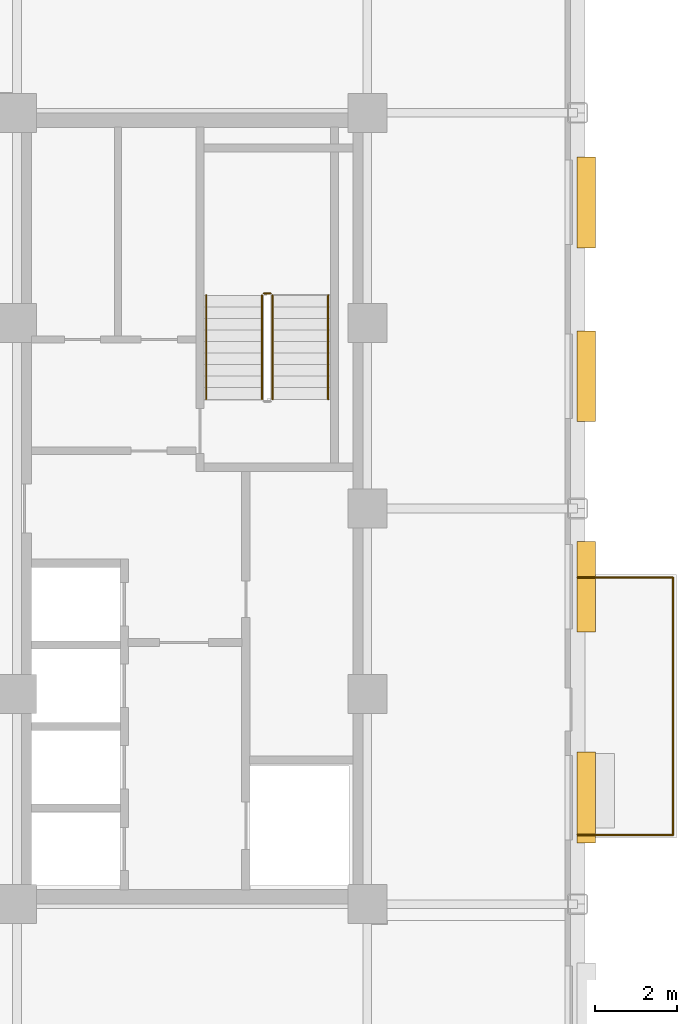
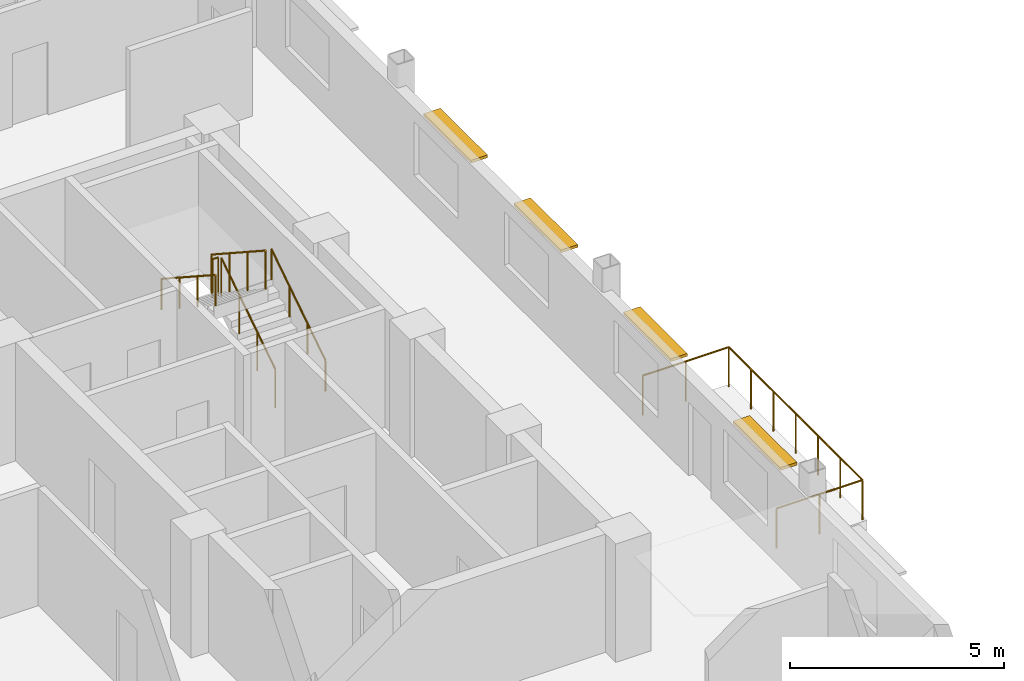
# One storey, part 14 of 15: 6 railings, 4 shading devices.
"""IFC4 building model written with IfcOpenShell, lengths in metres."""

from ifc_helpers import new_model, si_unit, direction, frame, origin, origin_2d, place, context, subcontext, project, spatial, rectangle, circle, extrude, source, transform, mapped, material, type_object, type_shapes, element, save


model = new_model("IFC4")

# Units and contexts
model_context = context("Model", 3, precision=1e-05, world=origin(), true_north=direction((0.0, 1.0)))
body_context = subcontext(model_context, "Body", "Model", "MODEL_VIEW")
ifc_project = project(units=[si_unit("LENGTHUNIT", "METRE"), si_unit("AREAUNIT", "SQUARE_METRE"), si_unit("VOLUMEUNIT", "CUBIC_METRE"), si_unit("PLANEANGLEUNIT", "RADIAN"), si_unit("MASSUNIT", "GRAM", prefix="KILO")], contexts=[model_context])

# Site, building, storey
site_placement = place(None, origin())
site = spatial("IfcSite", under=ifc_project, at=site_placement, CompositionType="ELEMENT")
building_placement = place(site_placement, origin())
building = spatial("IfcBuilding", under=site, at=building_placement, Name="Nuvemarco Arch Tower", CompositionType="ELEMENT")
storey_placement = place(building_placement, frame((0.0, 0.0, 201.85009765625)))
storey = spatial("IfcBuildingStorey", under=building, at=storey_placement, Name="L53", CompositionType="ELEMENT", Elevation=201.85009765625)

# Railings
ifc_material_1 = material(Name="Brushed stainless steel handrail", Category="steel")
railing_type_1 = type_object("IfcRailingType", Name="RL-HANDRAIL-900", PredefinedType="HANDRAIL", material=ifc_material_1)
railing_1_placement = place(storey_placement, frame((16.550048828125, 2.64990234375, 0.182373046875)))
element("IfcRailing", 1, at=railing_1_placement, inside=storey, type_object=railing_type_1, Name="L53 ST-2 stair handrail 1", PredefinedType="HANDRAIL", context=body_context, shape_type="SweptSolid", body=[
    extrude(circle(Radius=0.02392578125, at=origin_2d()), frame((0.0, 0.0, 0.8759765625), z_axis=(0.0, 0.837749427056, 0.546054848405), x_axis=(-1.0, 0.0, 0.0)), (0.0, 0.0, 1.0), 3.008056640625),
    extrude(circle(Radius=0.02099609375, at=origin_2d()), origin(), (0.0, 0.0, 1.0), 0.851806640625),
    extrude(circle(Radius=0.02099609375, at=origin_2d()), frame((0.0, 0.840087890625, 0.547607421875)), (0.0, 0.0, 1.0), 0.851806640625),
    extrude(circle(Radius=0.02099609375, at=origin_2d()), frame((0.0, 1.679931640625, 1.094970703125)), (0.0, 0.0, 1.0), 0.851806640625),
    extrude(circle(Radius=0.02099609375, at=origin_2d()), frame((0.0, 2.52001953125, 1.642578125)), (0.0, 0.0, 1.0), 0.851806640625),
])
railing_2_placement = place(storey_placement, frame((13.590087890625, 5.169921875, 2.00732421875)))
element("IfcRailing", 2, at=railing_2_placement, inside=storey, type_object=railing_type_1, Name="L53 ST-2 stair handrail 2", PredefinedType="HANDRAIL", context=body_context, shape_type="SweptSolid", body=[
    extrude(circle(Radius=0.02392578125, at=origin_2d()), frame((0.0, 0.0, 0.8759765625), z_axis=(0.0, -0.837749427056, 0.546054848405), x_axis=(1.0, 0.0, 0.0)), (0.0, 0.0, 1.0), 3.008056640625),
    extrude(circle(Radius=0.02099609375, at=origin_2d()), origin(), (0.0, 0.0, 1.0), 0.851806640625),
    extrude(circle(Radius=0.02099609375, at=origin_2d()), frame((0.0, -0.840087890625, 0.547607421875)), (0.0, 0.0, 1.0), 0.851806640625),
    extrude(circle(Radius=0.02099609375, at=origin_2d()), frame((0.0, -1.679931640625, 1.094970703125)), (0.0, 0.0, 1.0), 0.851806640625),
    extrude(circle(Radius=0.02099609375, at=origin_2d()), frame((0.0, -2.52001953125, 1.642578125)), (0.0, 0.0, 1.0), 0.851806640625),
])
ifc_material_2 = material(Name="Painted balustrade steel S355", Category="steel")
railing_type_2 = type_object("IfcRailingType", Name="RL-STAIR-GUARD", PredefinedType="GUARDRAIL", material=ifc_material_2)
railing_3_placement = place(storey_placement, frame((15.199951171875, 2.64990234375, 0.182373046875)))
element("IfcRailing", 3, at=railing_3_placement, inside=storey, type_object=railing_type_2, Name="L53 ST-2 stair guard 1", PredefinedType="GUARDRAIL", context=body_context, shape_type="SweptSolid", body=[
    extrude(circle(Radius=0.02392578125, at=origin_2d()), frame((0.0, 0.0, 1.09619140625), z_axis=(0.0, 0.837749427056, 0.546054848405), x_axis=(-1.0, 0.0, 0.0)), (0.0, 0.0, 1.0), 3.008056640625),
    extrude(circle(Radius=0.02099609375, at=origin_2d()), origin(), (0.0, 0.0, 1.0), 1.072021484375),
    extrude(circle(Radius=0.02099609375, at=origin_2d()), frame((0.0, 0.840087890625, 0.547607421875)), (0.0, 0.0, 1.0), 1.072021484375),
    extrude(circle(Radius=0.02099609375, at=origin_2d()), frame((0.0, 1.679931640625, 1.094970703125)), (0.0, 0.0, 1.0), 1.072021484375),
    extrude(circle(Radius=0.02099609375, at=origin_2d()), frame((0.0, 2.52001953125, 1.642578125)), (0.0, 0.0, 1.0), 1.072021484375),
])
railing_4_placement = place(storey_placement, frame((15.14990234375, 5.219970703125, 1.824951171875)))
element("IfcRailing", 4, at=railing_4_placement, inside=storey, type_object=railing_type_2, Name="L53 ST-2 stair guard 2", PredefinedType="GUARDRAIL", context=body_context, shape_type="SweptSolid", body=[
    extrude(circle(Radius=0.02392578125, at=origin_2d()), frame((0.0, 0.0, 1.09619140625), z_axis=(-1.0, 0.0, 0.0), x_axis=(0.0, -1.0, 0.0)), (0.0, 0.0, 1.0), 0.159912109375),
    extrude(circle(Radius=0.02099609375, at=origin_2d()), origin(), (0.0, 0.0, 1.0), 1.072021484375),
    extrude(circle(Radius=0.02099609375, at=origin_2d()), frame((-0.159912109375, 0.0, 0.0)), (0.0, 0.0, 1.0), 1.072021484375),
])
railing_5_placement = place(storey_placement, frame((14.93994140625, 5.169921875, 2.00732421875)))
element("IfcRailing", 5, at=railing_5_placement, inside=storey, type_object=railing_type_2, Name="L53 ST-2 stair guard 3", PredefinedType="GUARDRAIL", context=body_context, shape_type="SweptSolid", body=[
    extrude(circle(Radius=0.02392578125, at=origin_2d()), frame((0.0, 0.0, 1.09619140625), z_axis=(0.0, -0.837749427056, 0.546054848405), x_axis=(1.0, 0.0, 0.0)), (0.0, 0.0, 1.0), 3.008056640625),
    extrude(circle(Radius=0.02099609375, at=origin_2d()), origin(), (0.0, 0.0, 1.0), 1.072021484375),
    extrude(circle(Radius=0.02099609375, at=origin_2d()), frame((0.0, -0.840087890625, 0.547607421875)), (0.0, 0.0, 1.0), 1.072021484375),
    extrude(circle(Radius=0.02099609375, at=origin_2d()), frame((0.0, -1.679931640625, 1.094970703125)), (0.0, 0.0, 1.0), 1.072021484375),
    extrude(circle(Radius=0.02099609375, at=origin_2d()), frame((0.0, -2.52001953125, 1.642578125)), (0.0, 0.0, 1.0), 1.072021484375),
])
ifc_material_3 = material(Name="Dark anodised balustrade steel S355", Category="steel")
railing_type_3 = type_object("IfcRailingType", Name="RL-TERR-GUARD", PredefinedType="BALUSTRADE", material=ifc_material_3)
railing_6_placement = place(storey_placement, frame((22.60009765625, -7.919921875, 0.0)))
element("IfcRailing", 6, at=railing_6_placement, inside=storey, type_object=railing_type_3, Name="L53 spiral terrace perimeter balustrade guard", PredefinedType="BALUSTRADE", context=body_context, shape_type="SweptSolid", body=[
    extrude(circle(Radius=0.02392578125, at=origin_2d()), frame((0.0, 0.0, 1.1259765625), z_axis=(1.0, 0.0, 0.0), x_axis=(0.0, 1.0, 0.0)), (0.0, 0.0, 1.0), 2.31982421875),
    extrude(circle(Radius=0.02392578125, at=origin_2d()), frame((2.31982421875, 0.0, 1.1259765625), z_axis=(0.0, 1.0, 0.0), x_axis=(-1.0, 0.0, 0.0)), (0.0, 0.0, 1.0), 6.239990234375),
    extrude(circle(Radius=0.02392578125, at=origin_2d()), frame((2.31982421875, 6.239990234375, 1.1259765625), z_axis=(-1.0, 0.0, 0.0), x_axis=(0.0, -1.0, 0.0)), (0.0, 0.0, 1.0), 2.31982421875),
    extrude(circle(Radius=0.02099609375, at=origin_2d()), origin(), (0.0, 0.0, 1.0), 1.101806640625),
    extrude(circle(Radius=0.02099609375, at=origin_2d()), frame((1.159912109375, 0.0, 0.0)), (0.0, 0.0, 1.0), 1.101806640625),
    extrude(circle(Radius=0.02099609375, at=origin_2d()), frame((2.31982421875, 0.0, 0.0)), (0.0, 0.0, 1.0), 1.101806640625),
    extrude(circle(Radius=0.02099609375, at=origin_2d()), frame((2.31982421875, 1.0400390625, 0.0)), (0.0, 0.0, 1.0), 1.101806640625),
    extrude(circle(Radius=0.02099609375, at=origin_2d()), frame((2.31982421875, 2.080078125, 0.0)), (0.0, 0.0, 1.0), 1.101806640625),
    extrude(circle(Radius=0.02099609375, at=origin_2d()), frame((2.31982421875, 3.1201171875, 0.0)), (0.0, 0.0, 1.0), 1.101806640625),
    extrude(circle(Radius=0.02099609375, at=origin_2d()), frame((2.31982421875, 4.159912109375, 0.0)), (0.0, 0.0, 1.0), 1.101806640625),
    extrude(circle(Radius=0.02099609375, at=origin_2d()), frame((2.31982421875, 5.199951171875, 0.0)), (0.0, 0.0, 1.0), 1.101806640625),
    extrude(circle(Radius=0.02099609375, at=origin_2d()), frame((2.31982421875, 6.239990234375, 0.0)), (0.0, 0.0, 1.0), 1.101806640625),
    extrude(circle(Radius=0.02099609375, at=origin_2d()), frame((1.159912109375, 6.239990234375, 0.0)), (0.0, 0.0, 1.0), 1.101806640625),
    extrude(circle(Radius=0.02099609375, at=origin_2d()), frame((0.0, 6.239990234375, 0.0)), (0.0, 0.0, 1.0), 1.101806640625),
])

# Shading devices
ifc_material_4 = material(Name="Anodised aluminium 6063-T6", Category="aluminium")
shading_device_type = type_object("IfcShadingDeviceType", Name="SHD-BRISE-SOLEIL", PredefinedType="USERDEFINED", material=ifc_material_4)
shared_shape = source(origin(), body_context, "Body", "SweptSolid", [
    extrude(rectangle(XDim=2.199951171875, YDim=0.449951171875, at=origin_2d()), origin(), (0.0, 0.0, 1.0), 0.080078125),
])
type_shapes(shading_device_type, [shared_shape])
for number, where, z_axis, x_axis, name in (
    (7, (22.81494140625, -7.0126953125, 2.324951171875), (0.0, 0.0, 1.0), (0.0, 1.0, 0.0), "L53 horizontal brise-soleil sunshade"),
    (8, (22.81494140625, -1.89990234375, 2.324951171875), (0.0, 0.0, 1.0), (0.0, 1.0, 0.0), "L53 horizontal brise-soleil sunshade"),
    (9, (22.81494140625, 3.212646484375, 2.324951171875), (0.0, 0.0, 1.0), (0.0, 1.0, 0.0), "L53 horizontal brise-soleil sunshade"),
    (10, (22.81494140625, 7.425048828125, 2.324951171875), (0.0, 0.0, 1.0), (0.0, 1.0, 0.0), "L53 horizontal brise-soleil sunshade"),
):
    element("IfcShadingDevice", number, at=place(storey_placement, frame(where, z_axis=z_axis, x_axis=x_axis)), inside=storey, type_object=shading_device_type, Name=name, ObjectType="SUNSHADE", PredefinedType="USERDEFINED", context=body_context, shape_type="MappedRepresentation", body=[
        mapped(shared_shape, transform((0.0, 0.0, 0.0), scale=1.0)),
    ])

save(model, "model.ifc")
